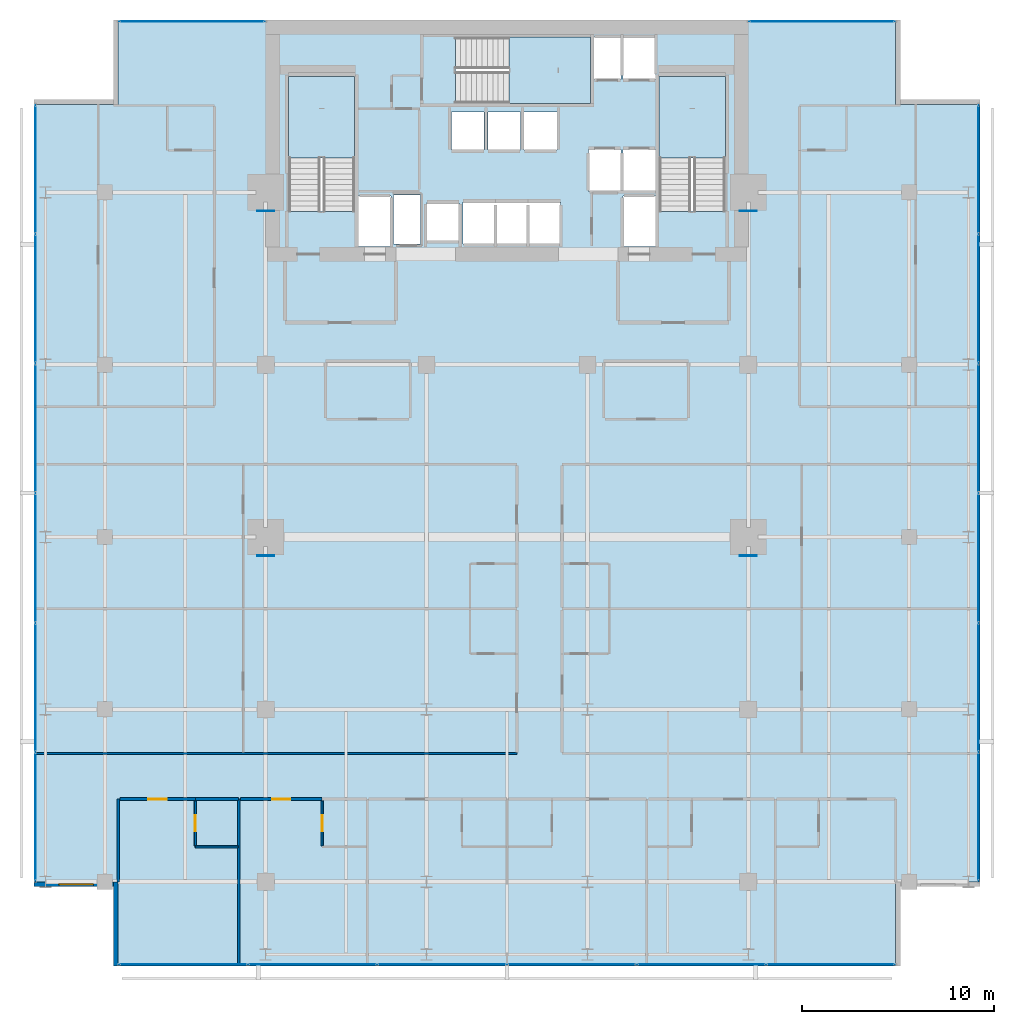
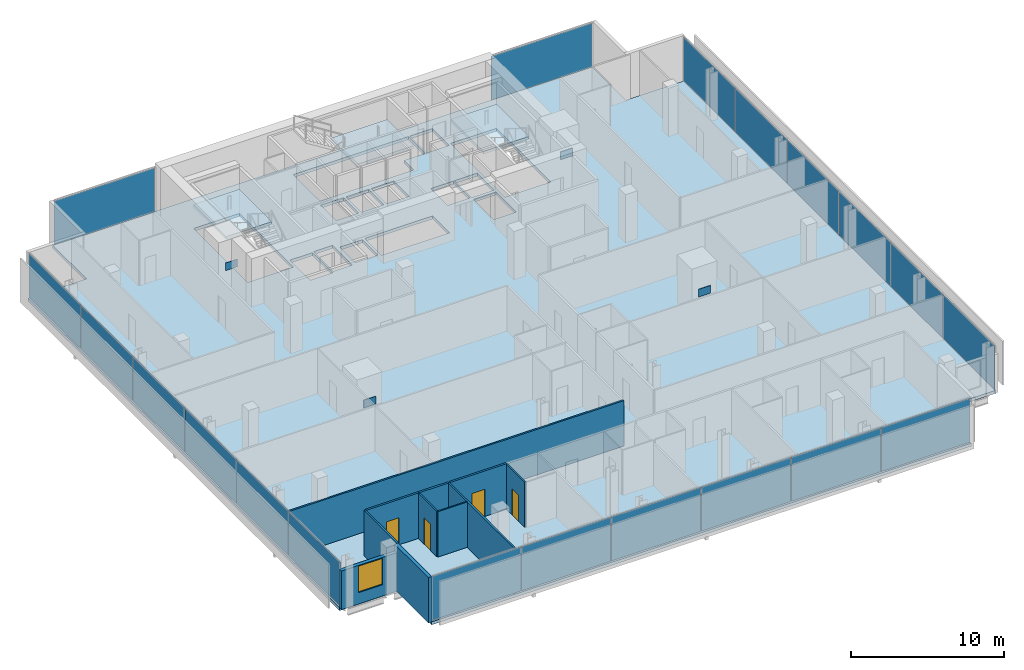
# One storey, part 26 of 33: 24 plates, 11 walls, 4 doors, 4 slabs, 1 window, 5 openings, 8 elements without a shape of their own.
"""IFC4 building model written with IfcOpenShell, lengths in metres."""

from ifc_helpers import new_model, si_unit, direction, frame, frame_2d, origin, origin_2d, place, context, subcontext, project, spatial, polyline, rectangle, outline, extrude, material, layer, layer_set, type_object, element, fill, aggregate, save


model = new_model("IFC4")

# Units and contexts
model_context = context("Model", 3, precision=1e-05, world=origin(), true_north=direction((0.0, 1.0)))
body_context = subcontext(model_context, "Body", "Model", "MODEL_VIEW")
ifc_project = project(units=[si_unit("LENGTHUNIT", "METRE"), si_unit("AREAUNIT", "SQUARE_METRE"), si_unit("VOLUMEUNIT", "CUBIC_METRE"), si_unit("PLANEANGLEUNIT", "RADIAN"), si_unit("MASSUNIT", "GRAM", prefix="KILO")], contexts=[model_context])

# Site, building, storey
site_placement = place(None, origin())
site = spatial("IfcSite", under=ifc_project, at=site_placement, CompositionType="ELEMENT")
building_placement = place(site_placement, origin())
building = spatial("IfcBuilding", under=site, at=building_placement, Name="Maruvema Waterfront Hotel and Observation Tower", CompositionType="ELEMENT")
storey_placement = place(building_placement, frame((0.0, 0.0, 200.550048828125)))
storey = spatial("IfcBuildingStorey", under=building, at=storey_placement, Name="L49", CompositionType="ELEMENT", Elevation=200.550048828125)

# Slab
ifc_material_1 = material(Name="Concrete C50/60", Category="concrete")
ifc_layer_1 = layer(ifc_material_1, 0.239990234375, Name="Reinforced Concrete Floor Slab 240 mm")
ifc_layer_set_1 = layer_set([ifc_layer_1], Name="Concrete C50/60")
slab_type_1 = type_object("IfcSlabType", Name="Reinforced Concrete Floor Slab 240 mm", PredefinedType="FLOOR", material=ifc_layer_set_1)
slab_1_placement = place(storey_placement, frame((0.0, 0.0, -0.239990234375)))
element("IfcSlab", 1, at=slab_1_placement, inside=storey, type_object=slab_type_1, Name="L49 Structural Floor Slab", PredefinedType="FLOOR", context=body_context, shape_type="SweptSolid", body=[
    extrude(outline(polyline([(17.5, 4.60009765625), (58.10009765625, 4.60009765625), (58.10009765625, 9.0), (62.5, 9.0), (62.5, 49.60009765625), (58.10009765625, 49.60009765625), (58.10009765625, 54.0), (17.5, 54.0), (17.5, 49.60009765625), (13.10009765625, 49.60009765625), (13.10009765625, 9.0), (17.5, 9.0), (17.5, 4.60009765625)]), holes=[polyline([(26.39990234375, 44.00048828125), (26.39990234375, 51.050048828125), (29.85009765625, 51.050048828125), (29.85009765625, 44.00048828125), (26.39990234375, 44.00048828125)]), polyline([(30.050048828125, 44.800048828125), (31.75, 44.800048828125), (31.75, 42.169921875), (30.050048828125, 42.169921875), (30.050048828125, 44.800048828125)]), polyline([(31.8798828125, 44.860107421875), (33.280029296875, 44.860107421875), (33.280029296875, 42.2900390625), (31.8798828125, 42.2900390625), (31.8798828125, 44.860107421875)]), polyline([(33.60009765625, 44.449951171875), (35.300048828125, 44.449951171875), (35.300048828125, 42.449951171875), (33.60009765625, 42.449951171875), (33.60009765625, 44.449951171875)]), polyline([(34.89990234375, 49.199951171875), (36.60009765625, 49.199951171875), (36.60009765625, 47.199951171875), (34.89990234375, 47.199951171875), (34.89990234375, 49.199951171875)]), polyline([(36.800048828125, 49.199951171875), (38.5, 49.199951171875), (38.5, 47.199951171875), (36.800048828125, 47.199951171875), (36.800048828125, 49.199951171875)]), polyline([(35.5, 42.300048828125), (35.5, 44.5), (40.60009765625, 44.5), (40.60009765625, 42.300048828125), (35.5, 42.300048828125)]), polyline([(35.1005859375, 53.10009765625), (43.75, 53.10009765625), (43.75, 50.89990234375), (42.14990234375, 50.89990234375), (42.14990234375, 49.64990234375), (35.1005859375, 49.64990234375), (35.1005859375, 53.10009765625)]), polyline([(38.699951171875, 49.199951171875), (40.39990234375, 49.199951171875), (40.39990234375, 47.199951171875), (38.699951171875, 47.199951171875), (38.699951171875, 49.199951171875)]), polyline([(42.050048828125, 47.25), (43.75, 47.25), (43.75, 45.050048828125), (42.050048828125, 45.050048828125), (42.050048828125, 47.25)]), polyline([(43.85009765625, 44.800048828125), (45.550048828125, 44.800048828125), (45.550048828125, 42.169921875), (43.85009765625, 42.169921875), (43.85009765625, 44.800048828125)]), polyline([(43.85009765625, 47.25), (45.550048828125, 47.25), (45.550048828125, 45.050048828125), (43.85009765625, 45.050048828125), (43.85009765625, 47.25)]), polyline([(45.550048828125, 53.10009765625), (45.550048828125, 50.89990234375), (43.85009765625, 50.89990234375), (43.85009765625, 53.10009765625), (45.550048828125, 53.10009765625)]), polyline([(45.75, 44.00048828125), (45.75, 51.050048828125), (49.199951171875, 51.050048828125), (49.199951171875, 44.00048828125), (45.75, 44.00048828125)])]), origin(), (0.0, 0.0, 1.0), 0.239990234375),
])

# Curtain wall, plates
ifc_material_2 = material(Name="Anodised bronze aluminium and solar-control low-E IGU", Category="aluminium")
ifc_layer_2 = layer(ifc_material_2, 0.159912109375, Name="Zone 2 Amber Inner Thermal Curtain Wall System CW-03")
ifc_layer_set_2 = layer_set([ifc_layer_2], Name="Anodised bronze aluminium and solar-control low-E IGU")
curtain_wall_type = type_object("IfcCurtainWallType", Name="Zone 2 Amber Inner Thermal Curtain Wall System CW-03", PredefinedType="USERDEFINED", material=ifc_layer_set_2)
curtain_wall_1_placement = place(storey_placement, origin())
curtain_wall_1 = element("IfcCurtainWall", 2, at=curtain_wall_1_placement, inside=storey, type_object=curtain_wall_type, Name="L49 Curtain Wall CW-L49-S", ObjectType="UNITISED CURTAIN WALL", PredefinedType="USERDEFINED")
ifc_material_3 = material(Name="Laminated low-E solar-control double glazing", Category="glass")
ifc_layer_3 = layer(ifc_material_3, 0.035888671875, Name="Solar Control Double-Glazed Curtain Panel 36 mm")
ifc_layer_set_3 = layer_set([ifc_layer_3], Name="Laminated low-E solar-control double glazing")
plate_type_1 = type_object("IfcPlateType", Name="Solar Control Double-Glazed Curtain Panel 36 mm", PredefinedType="CURTAIN_PANEL", material=ifc_layer_set_3)
plate_1_placement = place(storey_placement, frame((20.8984375, 4.679931640625, 0.06005859375), z_axis=(0.0, 0.0, 1.0), x_axis=(1.0, 0.0, 0.0)))
plate_1 = element("IfcPlate", 3, at=plate_1_placement, type_object=plate_type_1, Name="CW-03 panel 1.1", PredefinedType="CURTAIN_PANEL", context=body_context, shape_type="SweptSolid", body=[
    extrude(rectangle(XDim=6.6767578125, YDim=0.028076171875, at=origin_2d()), origin(), (0.0, 0.0, 1.0), 3.489990234375),
])
plate_2_placement = place(storey_placement, frame((27.64990234375, 4.679931640625, 0.06005859375), z_axis=(0.0, 0.0, 1.0), x_axis=(1.0, 0.0, 0.0)))
plate_2 = element("IfcPlate", 4, at=plate_2_placement, type_object=plate_type_1, Name="CW-03 panel 2.1", PredefinedType="CURTAIN_PANEL", context=body_context, shape_type="SweptSolid", body=[
    extrude(rectangle(XDim=6.706787109375, YDim=0.028076171875, at=origin_2d()), origin(), (0.0, 0.0, 1.0), 3.489990234375),
])
plate_3_placement = place(storey_placement, frame((34.416748046875, 4.679931640625, 0.06005859375), z_axis=(0.0, 0.0, 1.0), x_axis=(1.0, 0.0, 0.0)))
plate_3 = element("IfcPlate", 5, at=plate_3_placement, type_object=plate_type_1, Name="CW-03 panel 3.1", PredefinedType="CURTAIN_PANEL", context=body_context, shape_type="SweptSolid", body=[
    extrude(rectangle(XDim=6.706787109375, YDim=0.028076171875, at=origin_2d()), origin(), (0.0, 0.0, 1.0), 3.489990234375),
])
plate_4_placement = place(storey_placement, frame((41.183349609375, 4.679931640625, 0.06005859375), z_axis=(0.0, 0.0, 1.0), x_axis=(1.0, 0.0, 0.0)))
plate_4 = element("IfcPlate", 6, at=plate_4_placement, type_object=plate_type_1, Name="CW-03 panel 4.1", PredefinedType="CURTAIN_PANEL", context=body_context, shape_type="SweptSolid", body=[
    extrude(rectangle(XDim=6.706787109375, YDim=0.028076171875, at=origin_2d()), origin(), (0.0, 0.0, 1.0), 3.489990234375),
])
plate_5_placement = place(storey_placement, frame((47.949951171875, 4.679931640625, 0.06005859375), z_axis=(0.0, 0.0, 1.0), x_axis=(1.0, 0.0, 0.0)))
plate_5 = element("IfcPlate", 7, at=plate_5_placement, type_object=plate_type_1, Name="CW-03 panel 5.1", PredefinedType="CURTAIN_PANEL", context=body_context, shape_type="SweptSolid", body=[
    extrude(rectangle(XDim=6.706787109375, YDim=0.028076171875, at=origin_2d()), origin(), (0.0, 0.0, 1.0), 3.489990234375),
])
plate_6_placement = place(storey_placement, frame((54.70166015625, 4.679931640625, 0.06005859375), z_axis=(0.0, 0.0, 1.0), x_axis=(1.0, 0.0, 0.0)))
plate_6 = element("IfcPlate", 8, at=plate_6_placement, type_object=plate_type_1, Name="CW-03 panel 6.1", PredefinedType="CURTAIN_PANEL", context=body_context, shape_type="SweptSolid", body=[
    extrude(rectangle(XDim=6.6767578125, YDim=0.028076171875, at=origin_2d()), origin(), (0.0, 0.0, 1.0), 3.489990234375),
])
aggregate(curtain_wall_1, [plate_1, plate_2, plate_3, plate_4, plate_5, plate_6])

curtain_wall_2_placement = place(storey_placement, origin())
curtain_wall_2 = element("IfcCurtainWall", 9, at=curtain_wall_2_placement, inside=storey, type_object=curtain_wall_type, Name="L49 Curtain Wall CW-L49-E", ObjectType="UNITISED CURTAIN WALL", PredefinedType="USERDEFINED")
plate_7_placement = place(storey_placement, frame((62.419921875, 12.3984375, 0.06005859375), z_axis=(0.0, 0.0, 1.0), x_axis=(0.0, 1.0, 0.0)))
plate_7 = element("IfcPlate", 10, at=plate_7_placement, type_object=plate_type_1, Name="CW-03 panel 1.1", PredefinedType="CURTAIN_PANEL", context=body_context, shape_type="SweptSolid", body=[
    extrude(rectangle(XDim=6.6767578125, YDim=0.028076171875, at=origin_2d()), origin(), (0.0, 0.0, 1.0), 3.489990234375),
])
plate_8_placement = place(storey_placement, frame((62.419921875, 19.14990234375, 0.06005859375), z_axis=(0.0, 0.0, 1.0), x_axis=(0.0, 1.0, 0.0)))
plate_8 = element("IfcPlate", 11, at=plate_8_placement, type_object=plate_type_1, Name="CW-03 panel 2.1", PredefinedType="CURTAIN_PANEL", context=body_context, shape_type="SweptSolid", body=[
    extrude(rectangle(XDim=6.706787109375, YDim=0.028076171875, at=origin_2d()), origin(), (0.0, 0.0, 1.0), 3.489990234375),
])
plate_9_placement = place(storey_placement, frame((62.419921875, 25.916748046875, 0.06005859375), z_axis=(0.0, 0.0, 1.0), x_axis=(0.0, 1.0, 0.0)))
plate_9 = element("IfcPlate", 12, at=plate_9_placement, type_object=plate_type_1, Name="CW-03 panel 3.1", PredefinedType="CURTAIN_PANEL", context=body_context, shape_type="SweptSolid", body=[
    extrude(rectangle(XDim=6.706787109375, YDim=0.028076171875, at=origin_2d()), origin(), (0.0, 0.0, 1.0), 3.489990234375),
])
plate_10_placement = place(storey_placement, frame((62.419921875, 32.683349609375, 0.06005859375), z_axis=(0.0, 0.0, 1.0), x_axis=(0.0, 1.0, 0.0)))
plate_10 = element("IfcPlate", 13, at=plate_10_placement, type_object=plate_type_1, Name="CW-03 panel 4.1", PredefinedType="CURTAIN_PANEL", context=body_context, shape_type="SweptSolid", body=[
    extrude(rectangle(XDim=6.706787109375, YDim=0.028076171875, at=origin_2d()), origin(), (0.0, 0.0, 1.0), 3.489990234375),
])
plate_11_placement = place(storey_placement, frame((62.419921875, 39.449951171875, 0.06005859375), z_axis=(0.0, 0.0, 1.0), x_axis=(0.0, 1.0, 0.0)))
plate_11 = element("IfcPlate", 14, at=plate_11_placement, type_object=plate_type_1, Name="CW-03 panel 5.1", PredefinedType="CURTAIN_PANEL", context=body_context, shape_type="SweptSolid", body=[
    extrude(rectangle(XDim=6.706787109375, YDim=0.028076171875, at=origin_2d()), origin(), (0.0, 0.0, 1.0), 3.489990234375),
])
plate_12_placement = place(storey_placement, frame((62.419921875, 46.20166015625, 0.06005859375), z_axis=(0.0, 0.0, 1.0), x_axis=(0.0, 1.0, 0.0)))
plate_12 = element("IfcPlate", 15, at=plate_12_placement, type_object=plate_type_1, Name="CW-03 panel 6.1", PredefinedType="CURTAIN_PANEL", context=body_context, shape_type="SweptSolid", body=[
    extrude(rectangle(XDim=6.6767578125, YDim=0.028076171875, at=origin_2d()), origin(), (0.0, 0.0, 1.0), 3.489990234375),
])
aggregate(curtain_wall_2, [plate_7, plate_8, plate_9, plate_10, plate_11, plate_12])

curtain_wall_3_placement = place(storey_placement, origin())
curtain_wall_3 = element("IfcCurtainWall", 16, at=curtain_wall_3_placement, inside=storey, type_object=curtain_wall_type, Name="L49 Curtain Wall CW-L49-W", ObjectType="UNITISED CURTAIN WALL", PredefinedType="USERDEFINED")
plate_13_placement = place(storey_placement, frame((13.179931640625, 46.20166015625, 0.06005859375), z_axis=(0.0, 0.0, 1.0), x_axis=(0.0, -1.0, 0.0)))
plate_13 = element("IfcPlate", 17, at=plate_13_placement, type_object=plate_type_1, Name="CW-03 panel 1.1", PredefinedType="CURTAIN_PANEL", context=body_context, shape_type="SweptSolid", body=[
    extrude(rectangle(XDim=6.6767578125, YDim=0.028076171875, at=origin_2d()), origin(), (0.0, 0.0, 1.0), 3.489990234375),
])
plate_14_placement = place(storey_placement, frame((13.179931640625, 39.449951171875, 0.06005859375), z_axis=(0.0, 0.0, 1.0), x_axis=(0.0, -1.0, 0.0)))
plate_14 = element("IfcPlate", 18, at=plate_14_placement, type_object=plate_type_1, Name="CW-03 panel 2.1", PredefinedType="CURTAIN_PANEL", context=body_context, shape_type="SweptSolid", body=[
    extrude(rectangle(XDim=6.706787109375, YDim=0.028076171875, at=origin_2d()), origin(), (0.0, 0.0, 1.0), 3.489990234375),
])
plate_15_placement = place(storey_placement, frame((13.179931640625, 32.683349609375, 0.06005859375), z_axis=(0.0, 0.0, 1.0), x_axis=(0.0, -1.0, 0.0)))
plate_15 = element("IfcPlate", 19, at=plate_15_placement, type_object=plate_type_1, Name="CW-03 panel 3.1", PredefinedType="CURTAIN_PANEL", context=body_context, shape_type="SweptSolid", body=[
    extrude(rectangle(XDim=6.706787109375, YDim=0.028076171875, at=origin_2d()), origin(), (0.0, 0.0, 1.0), 3.489990234375),
])
plate_16_placement = place(storey_placement, frame((13.179931640625, 25.916748046875, 0.06005859375), z_axis=(0.0, 0.0, 1.0), x_axis=(0.0, -1.0, 0.0)))
plate_16 = element("IfcPlate", 20, at=plate_16_placement, type_object=plate_type_1, Name="CW-03 panel 4.1", PredefinedType="CURTAIN_PANEL", context=body_context, shape_type="SweptSolid", body=[
    extrude(rectangle(XDim=6.706787109375, YDim=0.028076171875, at=origin_2d()), origin(), (0.0, 0.0, 1.0), 3.489990234375),
])
plate_17_placement = place(storey_placement, frame((13.179931640625, 19.14990234375, 0.06005859375), z_axis=(0.0, 0.0, 1.0), x_axis=(0.0, -1.0, 0.0)))
plate_17 = element("IfcPlate", 21, at=plate_17_placement, type_object=plate_type_1, Name="CW-03 panel 5.1", PredefinedType="CURTAIN_PANEL", context=body_context, shape_type="SweptSolid", body=[
    extrude(rectangle(XDim=6.706787109375, YDim=0.028076171875, at=origin_2d()), origin(), (0.0, 0.0, 1.0), 3.489990234375),
])
plate_18_placement = place(storey_placement, frame((13.179931640625, 12.3984375, 0.06005859375), z_axis=(0.0, 0.0, 1.0), x_axis=(0.0, -1.0, 0.0)))
plate_18 = element("IfcPlate", 22, at=plate_18_placement, type_object=plate_type_1, Name="CW-03 panel 6.1", PredefinedType="CURTAIN_PANEL", context=body_context, shape_type="SweptSolid", body=[
    extrude(rectangle(XDim=6.6767578125, YDim=0.028076171875, at=origin_2d()), origin(), (0.0, 0.0, 1.0), 3.489990234375),
])
aggregate(curtain_wall_3, [plate_13, plate_14, plate_15, plate_16, plate_17, plate_18])

# Curtain wall, plate
curtain_wall_4_placement = place(storey_placement, origin())
curtain_wall_4 = element("IfcCurtainWall", 23, at=curtain_wall_4_placement, inside=storey, type_object=curtain_wall_type, Name="L49 Curtain Wall CW-L49-NW", ObjectType="UNITISED CURTAIN WALL", PredefinedType="USERDEFINED")
plate_19_placement = place(storey_placement, frame((21.35009765625, 53.919921875, 0.06005859375), z_axis=(0.0, 0.0, 1.0), x_axis=(-1.0, 0.0, 0.0)))
plate_19 = element("IfcPlate", 24, at=plate_19_placement, type_object=plate_type_1, Name="CW-03 panel 1.1", PredefinedType="CURTAIN_PANEL", context=body_context, shape_type="SweptSolid", body=[
    extrude(rectangle(XDim=7.580078125, YDim=0.028076171875, at=origin_2d()), origin(), (0.0, 0.0, 1.0), 3.489990234375),
])
aggregate(curtain_wall_4, [plate_19])

curtain_wall_5_placement = place(storey_placement, origin())
curtain_wall_5 = element("IfcCurtainWall", 25, at=curtain_wall_5_placement, inside=storey, type_object=curtain_wall_type, Name="L49 Curtain Wall CW-L49-NE", ObjectType="UNITISED CURTAIN WALL", PredefinedType="USERDEFINED")
plate_20_placement = place(storey_placement, frame((54.25, 53.919921875, 0.06005859375), z_axis=(0.0, 0.0, 1.0), x_axis=(-1.0, 0.0, 0.0)))
plate_20 = element("IfcPlate", 26, at=plate_20_placement, type_object=plate_type_1, Name="CW-03 panel 1.1", PredefinedType="CURTAIN_PANEL", context=body_context, shape_type="SweptSolid", body=[
    extrude(rectangle(XDim=7.580078125, YDim=0.028076171875, at=origin_2d()), origin(), (0.0, 0.0, 1.0), 3.489990234375),
])
aggregate(curtain_wall_5, [plate_20])

# Stair, slab
ifc_material_4 = material(Name="Concrete C50/60", Category="concrete")
stair_type = type_object("IfcStairType", Name="Dogleg Exit Stair 1650 mm (22R x 175.0 mm)", PredefinedType="HALF_TURN_STAIR", material=ifc_material_4)
stair_1_placement = place(storey_placement, origin())
stair_1 = element("IfcStair", 27, at=stair_1_placement, inside=storey, type_object=stair_type, Name="L49 ST-01", PredefinedType="HALF_TURN_STAIR")
ifc_material_5 = material(Name="Concrete C50/60", Category="concrete")
ifc_layer_4 = layer(ifc_material_5, 0.219970703125, Name="Stair Concrete Landing Slab 220 mm")
ifc_layer_set_4 = layer_set([ifc_layer_4], Name="Concrete C50/60")
slab_type_2 = type_object("IfcSlabType", Name="Stair Concrete Landing Slab 220 mm", PredefinedType="LANDING", material=ifc_layer_set_4)
slab_2_placement = place(storey_placement, frame((0.0, 0.0, 1.704833984375)))
slab_2 = element("IfcSlab", 28, at=slab_2_placement, type_object=slab_type_2, Name="ST-01 landing 1", PredefinedType="LANDING", context=body_context, shape_type="SweptSolid", body=[
    extrude(outline(polyline([(29.85009765625, 46.800048828125), (29.85009765625, 51.050048828125), (26.39990234375, 51.050048828125), (26.39990234375, 46.800048828125), (29.85009765625, 46.800048828125)])), origin(), (0.0, 0.0, 1.0), 0.22021484375),
])
aggregate(stair_1, [slab_2])

stair_2_placement = place(storey_placement, origin())
stair_2 = element("IfcStair", 29, at=stair_2_placement, inside=storey, type_object=stair_type, Name="L49 ST-02", PredefinedType="HALF_TURN_STAIR")
slab_3_placement = place(storey_placement, frame((0.0, 0.0, 1.704833984375)))
slab_3 = element("IfcSlab", 30, at=slab_3_placement, type_object=slab_type_2, Name="ST-02 landing 1", PredefinedType="LANDING", context=body_context, shape_type="SweptSolid", body=[
    extrude(outline(polyline([(37.89990234375, 49.64990234375), (42.14990234375, 49.64990234375), (42.14990234375, 53.10009765625), (37.89990234375, 53.10009765625), (37.89990234375, 49.64990234375)])), origin(), (0.0, 0.0, 1.0), 0.22021484375),
])
aggregate(stair_2, [slab_3])

stair_3_placement = place(storey_placement, origin())
stair_3 = element("IfcStair", 31, at=stair_3_placement, inside=storey, type_object=stair_type, Name="L49 ST-03", PredefinedType="HALF_TURN_STAIR")
slab_4_placement = place(storey_placement, frame((0.0, 0.0, 1.704833984375)))
slab_4 = element("IfcSlab", 32, at=slab_4_placement, type_object=slab_type_2, Name="ST-03 landing 1", PredefinedType="LANDING", context=body_context, shape_type="SweptSolid", body=[
    extrude(outline(polyline([(49.199951171875, 46.800048828125), (49.199951171875, 51.050048828125), (45.75, 51.050048828125), (45.75, 46.800048828125), (49.199951171875, 46.800048828125)])), origin(), (0.0, 0.0, 1.0), 0.22021484375),
])
aggregate(stair_3, [slab_4])

# Plates
ifc_material_6 = material(Name="Steel ABNT NBR 7007 AR 415 (ASTM A572 Grade 50)", Category="steel")
ifc_layer_5 = layer(ifc_material_6, 0.0400390625, Name="Structural Truss Node Gusset Plate 40 mm")
ifc_layer_set_5 = layer_set([ifc_layer_5], Name="Steel ABNT NBR 7007 AR 415 (ASTM A572 Grade 50)")
plate_type_2 = type_object("IfcPlateType", Name="Structural Truss Node Gusset Plate 40 mm", PredefinedType="USERDEFINED", material=ifc_layer_set_5)
for number, where, z_axis, x_axis, name in (
    (33, (25.199951171875, 26.030029296875, 1.5), (0.0, 0.0, 1.0), (1.0, 0.0, 0.0), "L49 MC-01 Moment Frame Continuity Gusset Plate"),
    (34, (50.39990234375, 26.030029296875, 1.5), (0.0, 0.0, 1.0), (1.0, 0.0, 0.0), "L49 MC-02 Moment Frame Continuity Gusset Plate"),
    (35, (25.199951171875, 44.030029296875, 1.5), (0.0, 0.0, 1.0), (1.0, 0.0, 0.0), "L49 MC-03 Moment Frame Continuity Gusset Plate"),
    (36, (50.39990234375, 44.030029296875, 1.5), (0.0, 0.0, 1.0), (1.0, 0.0, 0.0), "L49 MC-04 Moment Frame Continuity Gusset Plate"),
):
    element("IfcPlate", number, at=place(storey_placement, frame(where, z_axis=z_axis, x_axis=x_axis)), inside=storey, type_object=plate_type_2, Name=name, ObjectType="GUSSET_PLATE", PredefinedType="USERDEFINED", context=body_context, shape_type="SweptSolid", body=[
        extrude(rectangle(XDim=0.89990234375, YDim=0.0400390625, at=origin_2d()), origin(), (0.0, 0.0, 1.0), 0.60009765625),
    ])

# Wall
ifc_material_7 = material(Name="Twin-stud acoustic gypsum drywall", Category="gypsum")
ifc_layer_6 = layer(ifc_material_7, 0.14990234375, Name="Acoustic Corridor and Suite Demising Wall 150 mm")
ifc_layer_set_6 = layer_set([ifc_layer_6], Name="Twin-stud acoustic gypsum drywall")
wall_type_1 = type_object("IfcWallType", Name="Acoustic Corridor and Suite Demising Wall 150 mm", PredefinedType="PARTITIONING", material=ifc_layer_set_6)
wall_1_placement = place(storey_placement, frame((21.530029296875, 13.320068359375, 0.0), z_axis=(0.0, 0.0, 1.0), x_axis=(1.0, 0.0, 0.0)))
element("IfcWall", 37, at=wall_1_placement, inside=storey, type_object=wall_type_1, Name="L49 Bath L49-S1 Back Wall 027", PredefinedType="PARTITIONING", context=body_context, shape_type="SweptSolid", body=[
    extrude(rectangle(XDim=2.25, YDim=0.14990234375, at=frame_2d((1.125, 0.0))), origin(), (0.0, 0.0, 1.0), 3.60986328125),
])

# Wall, opening, door
wall_2_placement = place(storey_placement, frame((17.580078125, 13.320068359375, 0.0), z_axis=(0.0, 0.0, 1.0), x_axis=(1.0, 0.0, 0.0)))
wall_2 = element("IfcWall", 38, at=wall_2_placement, inside=storey, type_object=wall_type_1, Name="L49 Unit L49-S1 Corridor Wall 030", PredefinedType="PARTITIONING", context=body_context, shape_type="SweptSolid", body=[
    extrude(rectangle(XDim=3.949951171875, YDim=0.14990234375, at=frame_2d((1.97509765625, 0.0))), origin(), (0.0, 0.0, 1.0), 3.60986328125),
])
opening_1_placement = place(wall_2_placement, frame((1.5, 0.0, 0.0)))
opening_1 = element("IfcOpeningElement", 39, at=opening_1_placement, cuts=wall_2, Name="Opening DR-095", PredefinedType="OPENING", context=body_context, shape_type="SweptSolid", body=[
    extrude(rectangle(XDim=0.949951171875, YDim=2.14990234375, at=frame_2d((0.47509765625, 1.074951171875))), frame((0.0, 0.0849609375, 0.0), z_axis=(0.0, -1.0, 0.0), x_axis=(1.0, 0.0, 0.0)), (0.0, 0.0, 1.0), 0.169921875),
])
ifc_material_8 = material(Name="Acoustic solid-core hardwood timber leaf", Category="wood")
door_type_1 = type_object("IfcDoorType", Name="Guestroom Entrance Fire Door 950x2150 mm", OperationType="NOTDEFINED", PredefinedType="DOOR", material=ifc_material_8)
door_1_placement = place(opening_1_placement, frame((0.949951171875, 0.0, 0.0), z_axis=(0.0, 0.0, 1.0), x_axis=(-1.0, 0.0, 0.0)))
door_1 = element("IfcDoor", 40, at=door_1_placement, inside=storey, type_object=door_type_1, Name="L49 Unit L49-S1 Entrance Door", OperationType="SINGLE_SWING_LEFT", OverallHeight=2.14990234375, OverallWidth=0.949951171875, PredefinedType="DOOR", context=body_context, shape_type="SweptSolid", body=[
    extrude(rectangle(XDim=0.949951171875, YDim=2.14990234375, at=frame_2d((0.47509765625, 1.074951171875))), frame((0.0, 0.02490234375, 0.0), z_axis=(0.0, -1.0, 0.0), x_axis=(1.0, 0.0, 0.0)), (0.0, 0.0, 1.0), 0.050048828125),
])
fill(opening_1, door_1)

wall_3_placement = place(storey_placement, frame((23.8798828125, 13.320068359375, 0.0), z_axis=(0.0, 0.0, 1.0), x_axis=(1.0, 0.0, 0.0)))
wall_3 = element("IfcWall", 41, at=wall_3_placement, inside=storey, type_object=wall_type_1, Name="L49 Unit L49-S2 Corridor Wall 035", PredefinedType="PARTITIONING", context=body_context, shape_type="SweptSolid", body=[
    extrude(rectangle(XDim=4.27001953125, YDim=0.14990234375, at=frame_2d((2.135009765625, 0.0))), origin(), (0.0, 0.0, 1.0), 3.60986328125),
])
opening_2_placement = place(wall_3_placement, frame((1.659912109375, 0.0, 0.0)))
opening_2 = element("IfcOpeningElement", 42, at=opening_2_placement, cuts=wall_3, Name="Opening DR-095", PredefinedType="OPENING", context=body_context, shape_type="SweptSolid", body=[
    extrude(rectangle(XDim=0.949951171875, YDim=2.14990234375, at=frame_2d((0.47509765625, 1.074951171875))), frame((0.0, 0.0849609375, 0.0), z_axis=(0.0, -1.0, 0.0), x_axis=(1.0, 0.0, 0.0)), (0.0, 0.0, 1.0), 0.169921875),
])
door_2_placement = place(opening_2_placement, frame((0.949951171875, 0.0, 0.0), z_axis=(0.0, 0.0, 1.0), x_axis=(-1.0, 0.0, 0.0)))
door_2 = element("IfcDoor", 43, at=door_2_placement, inside=storey, type_object=door_type_1, Name="L49 Unit L49-S2 Entrance Door", OperationType="SINGLE_SWING_LEFT", OverallHeight=2.14990234375, OverallWidth=0.949951171875, PredefinedType="DOOR", context=body_context, shape_type="SweptSolid", body=[
    extrude(rectangle(XDim=0.949951171875, YDim=2.14990234375, at=frame_2d((0.47509765625, 1.074951171875))), frame((0.0, 0.02490234375, 0.0), z_axis=(0.0, -1.0, 0.0), x_axis=(1.0, 0.0, 0.0)), (0.0, 0.0, 1.0), 0.050048828125),
])
fill(opening_2, door_2)

# Wall
ifc_material_9 = material(Name="Moisture-resistant cement-board drywall", Category="gypsum")
ifc_layer_7 = layer(ifc_material_9, 0.10009765625, Name="En-Suite Moisture-Resistant Partition 100 mm")
ifc_layer_set_7 = layer_set([ifc_layer_7], Name="Moisture-resistant cement-board drywall")
wall_type_2 = type_object("IfcWallType", Name="En-Suite Moisture-Resistant Partition 100 mm", PredefinedType="PARTITIONING", material=ifc_layer_set_7)
wall_4_placement = place(storey_placement, frame((21.530029296875, 10.820068359375, 0.0), z_axis=(0.0, 0.0, 1.0), x_axis=(1.0, 0.0, 0.0)))
element("IfcWall", 44, at=wall_4_placement, inside=storey, type_object=wall_type_2, Name="L49 En-Suite L49-S1 South 028", PredefinedType="PARTITIONING", context=body_context, shape_type="SweptSolid", body=[
    extrude(rectangle(XDim=2.22998046875, YDim=0.10009765625, at=frame_2d((1.114990234375, 0.0))), origin(), (0.0, 0.0, 1.0), 3.60986328125),
])

# Wall, opening, door
wall_5_placement = place(storey_placement, frame((21.530029296875, 10.8798828125, 0.0), z_axis=(0.0, 0.0, 1.0), x_axis=(0.0, 1.0, 0.0)))
wall_5 = element("IfcWall", 45, at=wall_5_placement, inside=storey, type_object=wall_type_2, Name="L49 En-Suite L49-S1 West 029", PredefinedType="PARTITIONING", context=body_context, shape_type="SweptSolid", body=[
    extrude(rectangle(XDim=2.340087890625, YDim=0.10009765625, at=frame_2d((1.169921875, 0.0))), origin(), (0.0, 0.0, 1.0), 3.60986328125),
])
opening_3_placement = place(wall_5_placement, frame((0.7451171875, 0.0, 0.0)))
opening_3 = element("IfcOpeningElement", 46, at=opening_3_placement, cuts=wall_5, Name="Opening DR-085", PredefinedType="OPENING", context=body_context, shape_type="SweptSolid", body=[
    extrude(rectangle(XDim=0.85009765625, YDim=2.10009765625, at=frame_2d((0.425048828125, 1.050048828125))), frame((0.0, 0.06005859375, 0.0), z_axis=(0.0, -1.0, 0.0), x_axis=(1.0, 0.0, 0.0)), (0.0, 0.0, 1.0), 0.1201171875),
])
ifc_material_10 = material(Name="Moisture-resistant solid timber leaf", Category="wood")
door_type_2 = type_object("IfcDoorType", Name="En-Suite Bathroom Door 850x2100 mm", OperationType="NOTDEFINED", PredefinedType="DOOR", material=ifc_material_10)
door_3_placement = place(opening_3_placement, origin())
door_3 = element("IfcDoor", 47, at=door_3_placement, inside=storey, type_object=door_type_2, Name="L49 En-Suite L49-S1 Door", OperationType="SINGLE_SWING_RIGHT", OverallHeight=2.10009765625, OverallWidth=0.85009765625, PredefinedType="DOOR", context=body_context, shape_type="SweptSolid", body=[
    extrude(rectangle(XDim=0.85009765625, YDim=2.10009765625, at=frame_2d((0.425048828125, 1.050048828125))), frame((0.0, 0.02490234375, 0.0), z_axis=(0.0, -1.0, 0.0), x_axis=(1.0, 0.0, 0.0)), (0.0, 0.0, 1.0), 0.050048828125),
])
fill(opening_3, door_3)

wall_6_placement = place(storey_placement, frame((28.14990234375, 10.8798828125, 0.0), z_axis=(0.0, 0.0, 1.0), x_axis=(0.0, 1.0, 0.0)))
wall_6 = element("IfcWall", 48, at=wall_6_placement, inside=storey, type_object=wall_type_2, Name="L49 En-Suite L49-S2 West 034", PredefinedType="PARTITIONING", context=body_context, shape_type="SweptSolid", body=[
    extrude(rectangle(XDim=2.340087890625, YDim=0.10009765625, at=frame_2d((1.169921875, 0.0))), origin(), (0.0, 0.0, 1.0), 3.60986328125),
])
opening_4_placement = place(wall_6_placement, frame((0.7451171875, 0.0, 0.0)))
opening_4 = element("IfcOpeningElement", 49, at=opening_4_placement, cuts=wall_6, Name="Opening DR-085", PredefinedType="OPENING", context=body_context, shape_type="SweptSolid", body=[
    extrude(rectangle(XDim=0.85009765625, YDim=2.10009765625, at=frame_2d((0.425048828125, 1.050048828125))), frame((0.0, 0.06005859375, 0.0), z_axis=(0.0, -1.0, 0.0), x_axis=(1.0, 0.0, 0.0)), (0.0, 0.0, 1.0), 0.1201171875),
])
door_4_placement = place(opening_4_placement, origin())
door_4 = element("IfcDoor", 50, at=door_4_placement, inside=storey, type_object=door_type_2, Name="L49 En-Suite L49-S2 Door", OperationType="SINGLE_SWING_RIGHT", OverallHeight=2.10009765625, OverallWidth=0.85009765625, PredefinedType="DOOR", context=body_context, shape_type="SweptSolid", body=[
    extrude(rectangle(XDim=0.85009765625, YDim=2.10009765625, at=frame_2d((0.425048828125, 1.050048828125))), frame((0.0, 0.02490234375, 0.0), z_axis=(0.0, -1.0, 0.0), x_axis=(1.0, 0.0, 0.0)), (0.0, 0.0, 1.0), 0.050048828125),
])
fill(opening_4, door_4)

# Wall
ifc_material_11 = material(Name="Precast concrete C45/55 with honed Pernambuco granite facing", Category="masonry")
ifc_layer_8 = layer(ifc_material_11, 0.260009765625, Name="Exterior Granite Clad Spandrel and Pier Wall 260 mm")
ifc_layer_set_8 = layer_set([ifc_layer_8], Name="Precast concrete C45/55 with honed Pernambuco granite facing")
wall_type_3 = type_object("IfcWallType", Name="Exterior Granite Clad Spandrel and Pier Wall 260 mm", PredefinedType="SOLIDWALL", material=ifc_layer_set_8)
wall_7_placement = place(storey_placement, frame((17.3701171875, 4.60009765625, 0.0), z_axis=(0.0, 0.0, 1.0), x_axis=(0.0, 1.0, 0.0)))
element("IfcWall", 51, at=wall_7_placement, inside=storey, type_object=wall_type_3, Name="L49 Corner Notch Granite Pier Wall SW1", PredefinedType="SOLIDWALL", context=body_context, shape_type="SweptSolid", body=[
    extrude(rectangle(XDim=4.39990234375, YDim=0.260009765625, at=frame_2d((2.199951171875, 0.0))), origin(), (0.0, 0.0, 1.0), 3.60986328125),
])

# Wall, opening, window
wall_8_placement = place(storey_placement, frame((17.5, 8.8701171875, 0.0), z_axis=(0.0, 0.0, 1.0), x_axis=(-1.0, 0.0, 0.0)))
wall_8 = element("IfcWall", 52, at=wall_8_placement, inside=storey, type_object=wall_type_3, Name="L49 Corner Notch Granite Pier Wall SW2", PredefinedType="SOLIDWALL", context=body_context, shape_type="SweptSolid", body=[
    extrude(rectangle(XDim=4.39990234375, YDim=0.260009765625, at=frame_2d((2.199951171875, 0.0))), origin(), (0.0, 0.0, 1.0), 3.071044921875),
])
opening_5_placement = place(wall_8_placement, frame((1.300048828125, 0.0, 0.89990234375)))
opening_5 = element("IfcOpeningElement", 53, at=opening_5_placement, cuts=wall_8, Name="Opening WN-02", PredefinedType="OPENING", context=body_context, shape_type="SweptSolid", body=[
    extrude(rectangle(XDim=1.800048828125, YDim=2.10009765625, at=frame_2d((0.89990234375, 1.050048828125))), frame((0.0, 0.14013671875, 0.0), z_axis=(0.0, -1.0, 0.0), x_axis=(1.0, 0.0, 0.0)), (0.0, 0.0, 1.0), 0.280029296875),
])
ifc_material_12 = material(Name="Anodised bronze aluminium frame with laminated low-E glass", Category="aluminium")
window_type = type_object("IfcWindowType", Name="Upper Notch Feature Window 1800x2100 mm", PartitioningType="SINGLE_PANEL", PredefinedType="WINDOW", material=ifc_material_12)
window_placement = place(opening_5_placement, origin())
window = element("IfcWindow", 54, at=window_placement, inside=storey, type_object=window_type, Name="L49 Corner Notch Punched Window SW2", OverallHeight=2.10009765625, OverallWidth=1.800048828125, PartitioningType="SINGLE_PANEL", PredefinedType="WINDOW", context=body_context, shape_type="SweptSolid", body=[
    extrude(rectangle(XDim=1.800048828125, YDim=2.10009765625, at=frame_2d((0.89990234375, 1.050048828125))), frame((0.0, 0.030029296875, 0.0), z_axis=(0.0, -1.0, 0.0), x_axis=(1.0, 0.0, 0.0)), (0.0, 0.0, 1.0), 0.06005859375),
])
fill(opening_5, window)

# Walls
ifc_material_13 = material(Name="Acoustic gypsum plasterboard drywall", Category="gypsum")
ifc_layer_9 = layer(ifc_material_13, 0.125, Name="Guestroom Acoustic Demising Wall 125 mm")
ifc_layer_set_9 = layer_set([ifc_layer_9], Name="Acoustic gypsum plasterboard drywall")
wall_type_4 = type_object("IfcWallType", Name="Guestroom Acoustic Demising Wall 125 mm", PredefinedType="PARTITIONING", material=ifc_layer_set_9)
wall_9_placement = place(storey_placement, frame((17.5, 9.0, 0.0), z_axis=(0.0, 0.0, 1.0), x_axis=(0.0, 1.0, 0.0)))
element("IfcWall", 55, at=wall_9_placement, inside=storey, type_object=wall_type_4, Name="L49 Z2 S West End 025", PredefinedType="PARTITIONING", context=body_context, shape_type="SweptSolid", body=[
    extrude(rectangle(XDim=4.320068359375, YDim=0.125, at=frame_2d((2.16015625, 0.0))), origin(), (0.0, 0.0, 1.0), 3.60986328125),
])
wall_10_placement = place(storey_placement, frame((23.800048828125, 4.699951171875, 0.0), z_axis=(0.0, 0.0, 1.0), x_axis=(0.0, 1.0, 0.0)))
element("IfcWall", 56, at=wall_10_placement, inside=storey, type_object=wall_type_4, Name="L49 Z2 S Demising 2 031", PredefinedType="PARTITIONING", context=body_context, shape_type="SweptSolid", body=[
    extrude(rectangle(XDim=8.6201171875, YDim=0.125, at=frame_2d((4.31005859375, 0.0))), origin(), (0.0, 0.0, 1.0), 3.60986328125),
])
wall_11_placement = place(storey_placement, frame((13.199951171875, 15.699951171875, 0.0), z_axis=(0.0, 0.0, 1.0), x_axis=(1.0, 0.0, 0.0)))
element("IfcWall", 57, at=wall_11_placement, inside=storey, type_object=wall_type_4, Name="L49 Z2 W Bot End 056", PredefinedType="PARTITIONING", context=body_context, shape_type="SweptSolid", body=[
    extrude(rectangle(XDim=25.1201171875, YDim=0.125, at=frame_2d((12.56005859375, 0.0))), origin(), (0.0, 0.0, 1.0), 3.60986328125),
])

save(model, "model.ifc")
